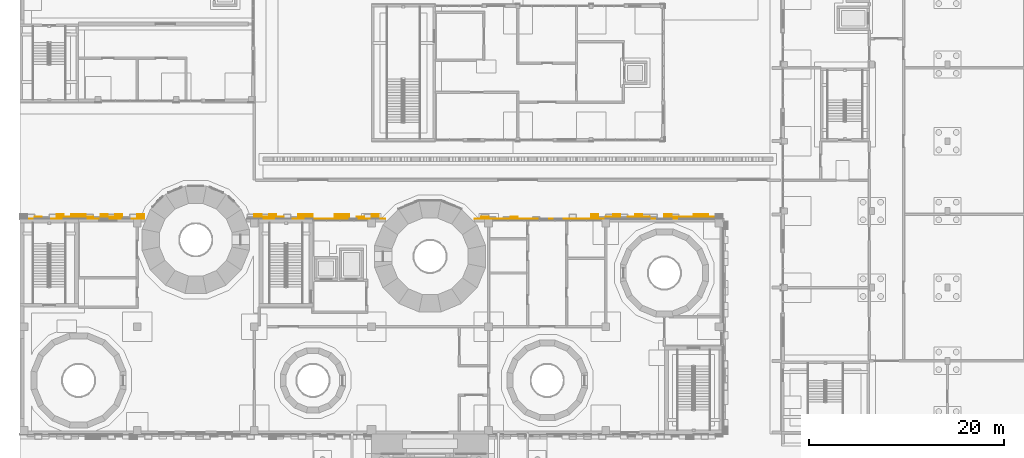
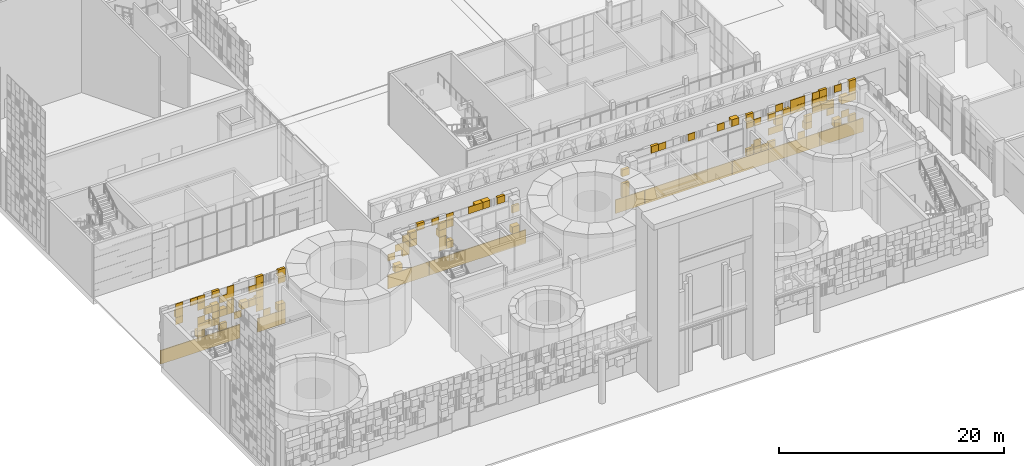
# One storey, part 85 of 125: 4 coverings.
"""IFC4 building model written with IfcOpenShell, lengths in metres."""

from ifc_helpers import new_model, si_unit, direction, frame, origin, origin_2d, place, context, subcontext, project, spatial, rectangle, extrude, material, layer, layer_set, type_object, element, save


model = new_model("IFC4")

# Units and contexts
model_context = context("Model", 3, precision=1e-05, world=origin(), true_north=direction((0.0, 1.0)))
body_context = subcontext(model_context, "Body", "Model", "MODEL_VIEW")
ifc_project = project(units=[si_unit("LENGTHUNIT", "METRE"), si_unit("AREAUNIT", "SQUARE_METRE"), si_unit("VOLUMEUNIT", "CUBIC_METRE"), si_unit("PLANEANGLEUNIT", "RADIAN"), si_unit("MASSUNIT", "GRAM", prefix="KILO")], contexts=[model_context])

# Site, building, storey
site_placement = place(None, origin())
site = spatial("IfcSite", under=ifc_project, at=site_placement, CompositionType="ELEMENT")
building_placement = place(site_placement, origin())
building = spatial("IfcBuilding", under=site, at=building_placement, Name="Sun Court Science Centre", CompositionType="ELEMENT")
storey_placement = place(building_placement, origin())
storey = spatial("IfcBuildingStorey", under=building, at=storey_placement, Name="L00", CompositionType="ELEMENT", Elevation=0.0)

# Coverings
ifc_material_1 = material(Name="Red sandstone", Category="masonry")
ifc_layer_1 = layer(ifc_material_1, 0.080078125)
ifc_layer_set_1 = layer_set([ifc_layer_1], Name="Red sandstone")
covering_type_1 = type_object("IfcCoveringType", Name="Red sandstone plinth block 1500", PredefinedType="CLADDING", material=ifc_layer_set_1)
covering_1_placement = place(storey_placement, origin())
element("IfcCovering", 1, at=covering_1_placement, inside=storey, type_object=covering_type_1, Name="Red sandstone plinth north face", PredefinedType="CLADDING", context=body_context, shape_type="SweptSolid", body=[
    extrude(rectangle(XDim=1.340087890625, YDim=0.080078125, at=origin_2d()), frame((0.675048828125, 28.0400390625, 0.0048828125), z_axis=(0.0, 0.0, 1.0), x_axis=(1.0, 0.0, 0.0)), (0.0, 0.0, 1.0), 1.489990234375),
    extrude(rectangle(XDim=1.340087890625, YDim=0.080078125, at=origin_2d()), frame((2.02490234375, 28.0400390625, 0.0048828125), z_axis=(0.0, 0.0, 1.0), x_axis=(1.0, 0.0, 0.0)), (0.0, 0.0, 1.0), 1.489990234375),
    extrude(rectangle(XDim=1.340087890625, YDim=0.080078125, at=origin_2d()), frame((3.375, 28.0400390625, 0.0048828125), z_axis=(0.0, 0.0, 1.0), x_axis=(1.0, 0.0, 0.0)), (0.0, 0.0, 1.0), 1.489990234375),
    extrude(rectangle(XDim=1.340087890625, YDim=0.080078125, at=origin_2d()), frame((4.72509765625, 28.0400390625, 0.0048828125), z_axis=(0.0, 0.0, 1.0), x_axis=(1.0, 0.0, 0.0)), (0.0, 0.0, 1.0), 1.489990234375),
    extrude(rectangle(XDim=1.340087890625, YDim=0.080078125, at=origin_2d()), frame((6.074951171875, 28.0400390625, 0.0048828125), z_axis=(0.0, 0.0, 1.0), x_axis=(1.0, 0.0, 0.0)), (0.0, 0.0, 1.0), 1.489990234375),
    extrude(rectangle(XDim=1.340087890625, YDim=0.080078125, at=origin_2d()), frame((7.425048828125, 28.0400390625, 0.0048828125), z_axis=(0.0, 0.0, 1.0), x_axis=(1.0, 0.0, 0.0)), (0.0, 0.0, 1.0), 1.489990234375),
    extrude(rectangle(XDim=1.415283203125, YDim=0.080078125, at=origin_2d()), frame((10.612548828125, 28.0400390625, 0.0048828125), z_axis=(0.0, 0.0, 1.0), x_axis=(1.0, 0.0, 0.0)), (0.0, 0.0, 1.0), 1.489990234375),
    extrude(rectangle(XDim=1.415283203125, YDim=0.080078125, at=origin_2d()), frame((12.0380859375, 28.0400390625, 0.0048828125), z_axis=(0.0, 0.0, 1.0), x_axis=(1.0, 0.0, 0.0)), (0.0, 0.0, 1.0), 1.489990234375),
    extrude(rectangle(XDim=1.405517578125, YDim=0.080078125, at=origin_2d()), frame((23.95703125, 28.0400390625, 0.0048828125), z_axis=(0.0, 0.0, 1.0), x_axis=(1.0, 0.0, 0.0)), (0.0, 0.0, 1.0), 1.489990234375),
    extrude(rectangle(XDim=1.405517578125, YDim=0.080078125, at=origin_2d()), frame((25.372802734375, 28.0400390625, 0.0048828125), z_axis=(0.0, 0.0, 1.0), x_axis=(1.0, 0.0, 0.0)), (0.0, 0.0, 1.0), 1.489990234375),
    extrude(rectangle(XDim=1.405517578125, YDim=0.080078125, at=origin_2d()), frame((26.788330078125, 28.0400390625, 0.0048828125), z_axis=(0.0, 0.0, 1.0), x_axis=(1.0, 0.0, 0.0)), (0.0, 0.0, 1.0), 1.489990234375),
    extrude(rectangle(XDim=1.405517578125, YDim=0.080078125, at=origin_2d()), frame((28.203857421875, 28.0400390625, 0.0048828125), z_axis=(0.0, 0.0, 1.0), x_axis=(1.0, 0.0, 0.0)), (0.0, 0.0, 1.0), 1.489990234375),
    extrude(rectangle(XDim=1.405517578125, YDim=0.080078125, at=origin_2d()), frame((29.619384765625, 28.0400390625, 0.0048828125), z_axis=(0.0, 0.0, 1.0), x_axis=(1.0, 0.0, 0.0)), (0.0, 0.0, 1.0), 1.489990234375),
    extrude(rectangle(XDim=1.405517578125, YDim=0.080078125, at=origin_2d()), frame((31.03515625, 28.0400390625, 0.0048828125), z_axis=(0.0, 0.0, 1.0), x_axis=(1.0, 0.0, 0.0)), (0.0, 0.0, 1.0), 1.489990234375),
    extrude(rectangle(XDim=1.405517578125, YDim=0.080078125, at=origin_2d()), frame((32.45068359375, 28.0400390625, 0.0048828125), z_axis=(0.0, 0.0, 1.0), x_axis=(1.0, 0.0, 0.0)), (0.0, 0.0, 1.0), 1.489990234375),
    extrude(rectangle(XDim=1.405517578125, YDim=0.080078125, at=origin_2d()), frame((33.8662109375, 28.0400390625, 0.0048828125), z_axis=(0.0, 0.0, 1.0), x_axis=(1.0, 0.0, 0.0)), (0.0, 0.0, 1.0), 1.489990234375),
    extrude(rectangle(XDim=1.405517578125, YDim=0.080078125, at=origin_2d()), frame((35.28173828125, 28.0400390625, 0.0048828125), z_axis=(0.0, 0.0, 1.0), x_axis=(1.0, 0.0, 0.0)), (0.0, 0.0, 1.0), 1.489990234375),
    extrude(rectangle(XDim=1.405517578125, YDim=0.080078125, at=origin_2d()), frame((36.697265625, 28.0400390625, 0.0048828125), z_axis=(0.0, 0.0, 1.0), x_axis=(1.0, 0.0, 0.0)), (0.0, 0.0, 1.0), 1.489990234375),
    extrude(rectangle(XDim=1.484375, YDim=0.080078125, at=origin_2d()), frame((47.342041015625, 28.0400390625, 0.0048828125), z_axis=(0.0, 0.0, 1.0), x_axis=(1.0, 0.0, 0.0)), (0.0, 0.0, 1.0), 1.489990234375),
    extrude(rectangle(XDim=1.484375, YDim=0.080078125, at=origin_2d()), frame((48.83642578125, 28.0400390625, 0.0048828125), z_axis=(0.0, 0.0, 1.0), x_axis=(1.0, 0.0, 0.0)), (0.0, 0.0, 1.0), 1.489990234375),
    extrude(rectangle(XDim=1.484375, YDim=0.080078125, at=origin_2d()), frame((50.330810546875, 28.0400390625, 0.0048828125), z_axis=(0.0, 0.0, 1.0), x_axis=(1.0, 0.0, 0.0)), (0.0, 0.0, 1.0), 1.489990234375),
    extrude(rectangle(XDim=1.484375, YDim=0.080078125, at=origin_2d()), frame((51.8251953125, 28.0400390625, 0.0048828125), z_axis=(0.0, 0.0, 1.0), x_axis=(1.0, 0.0, 0.0)), (0.0, 0.0, 1.0), 1.489990234375),
    extrude(rectangle(XDim=1.484375, YDim=0.080078125, at=origin_2d()), frame((53.31982421875, 28.0400390625, 0.0048828125), z_axis=(0.0, 0.0, 1.0), x_axis=(1.0, 0.0, 0.0)), (0.0, 0.0, 1.0), 1.489990234375),
    extrude(rectangle(XDim=1.484375, YDim=0.080078125, at=origin_2d()), frame((54.814208984375, 28.0400390625, 0.0048828125), z_axis=(0.0, 0.0, 1.0), x_axis=(1.0, 0.0, 0.0)), (0.0, 0.0, 1.0), 1.489990234375),
    extrude(rectangle(XDim=1.484375, YDim=0.080078125, at=origin_2d()), frame((56.30859375, 28.0400390625, 0.0048828125), z_axis=(0.0, 0.0, 1.0), x_axis=(1.0, 0.0, 0.0)), (0.0, 0.0, 1.0), 1.489990234375),
    extrude(rectangle(XDim=1.484375, YDim=0.080078125, at=origin_2d()), frame((57.802978515625, 28.0400390625, 0.0048828125), z_axis=(0.0, 0.0, 1.0), x_axis=(1.0, 0.0, 0.0)), (0.0, 0.0, 1.0), 1.489990234375),
    extrude(rectangle(XDim=1.484375, YDim=0.080078125, at=origin_2d()), frame((59.29736328125, 28.0400390625, 0.0048828125), z_axis=(0.0, 0.0, 1.0), x_axis=(1.0, 0.0, 0.0)), (0.0, 0.0, 1.0), 1.489990234375),
    extrude(rectangle(XDim=1.484375, YDim=0.080078125, at=origin_2d()), frame((60.791748046875, 28.0400390625, 0.0048828125), z_axis=(0.0, 0.0, 1.0), x_axis=(1.0, 0.0, 0.0)), (0.0, 0.0, 1.0), 1.489990234375),
    extrude(rectangle(XDim=1.484375, YDim=0.080078125, at=origin_2d()), frame((62.286376953125, 28.0400390625, 0.0048828125), z_axis=(0.0, 0.0, 1.0), x_axis=(1.0, 0.0, 0.0)), (0.0, 0.0, 1.0), 1.489990234375),
    extrude(rectangle(XDim=1.484375, YDim=0.080078125, at=origin_2d()), frame((63.78076171875, 28.0400390625, 0.0048828125), z_axis=(0.0, 0.0, 1.0), x_axis=(1.0, 0.0, 0.0)), (0.0, 0.0, 1.0), 1.489990234375),
    extrude(rectangle(XDim=1.484375, YDim=0.080078125, at=origin_2d()), frame((65.275146484375, 28.0400390625, 0.0048828125), z_axis=(0.0, 0.0, 1.0), x_axis=(1.0, 0.0, 0.0)), (0.0, 0.0, 1.0), 1.489990234375),
    extrude(rectangle(XDim=1.484375, YDim=0.080078125, at=origin_2d()), frame((66.76953125, 28.0400390625, 0.0048828125), z_axis=(0.0, 0.0, 1.0), x_axis=(1.0, 0.0, 0.0)), (0.0, 0.0, 1.0), 1.489990234375),
    extrude(rectangle(XDim=1.484375, YDim=0.080078125, at=origin_2d()), frame((68.263916015625, 28.0400390625, 0.0048828125), z_axis=(0.0, 0.0, 1.0), x_axis=(1.0, 0.0, 0.0)), (0.0, 0.0, 1.0), 1.489990234375),
    extrude(rectangle(XDim=1.484375, YDim=0.080078125, at=origin_2d()), frame((69.75830078125, 28.0400390625, 0.0048828125), z_axis=(0.0, 0.0, 1.0), x_axis=(1.0, 0.0, 0.0)), (0.0, 0.0, 1.0), 1.489990234375),
    extrude(rectangle(XDim=1.484375, YDim=0.080078125, at=origin_2d()), frame((71.252685546875, 28.0400390625, 0.0048828125), z_axis=(0.0, 0.0, 1.0), x_axis=(1.0, 0.0, 0.0)), (0.0, 0.0, 1.0), 1.489990234375),
])
ifc_material_2 = material(Name="Terracotta shade 3", Category="masonry")
ifc_layer_2 = layer(ifc_material_2, 0.06005859375)
ifc_layer_set_2 = layer_set([ifc_layer_2], Name="Terracotta shade 3")
covering_type_2 = type_object("IfcCoveringType", Name="Terracotta pixel panel shade 3", PredefinedType="CLADDING", material=ifc_layer_set_2)
covering_2_placement = place(storey_placement, origin())
element("IfcCovering", 2, at=covering_2_placement, inside=storey, type_object=covering_type_2, Name="Terracotta pixel cladding shade 3 north face L00", PredefinedType="CLADDING", context=body_context, shape_type="SweptSolid", body=[
    extrude(rectangle(XDim=0.739990234375, YDim=0.510009765625, at=origin_2d()), frame((12.375, 28.2548828125, 1.5048828125), z_axis=(0.0, 0.0, 1.0), x_axis=(1.0, 0.0, 0.0)), (0.0, 0.0, 1.0), 0.739990234375),
    extrude(rectangle(XDim=0.739990234375, YDim=0.260009765625, at=origin_2d()), frame((60.375, 28.1298828125, 1.5048828125), z_axis=(0.0, 0.0, 1.0), x_axis=(1.0, 0.0, 0.0)), (0.0, 0.0, 1.0), 0.739990234375),
    extrude(rectangle(XDim=0.739990234375, YDim=0.260009765625, at=origin_2d()), frame((62.625, 28.1298828125, 1.5048828125), z_axis=(0.0, 0.0, 1.0), x_axis=(1.0, 0.0, 0.0)), (0.0, 0.0, 1.0), 0.739990234375),
    extrude(rectangle(XDim=0.739990234375, YDim=0.510009765625, at=origin_2d()), frame((69.375, 28.2548828125, 1.5048828125), z_axis=(0.0, 0.0, 1.0), x_axis=(1.0, 0.0, 0.0)), (0.0, 0.0, 1.0), 0.739990234375),
    extrude(rectangle(XDim=0.739990234375, YDim=0.260009765625, at=origin_2d()), frame((70.875, 28.1298828125, 1.5048828125), z_axis=(0.0, 0.0, 1.0), x_axis=(1.0, 0.0, 0.0)), (0.0, 0.0, 1.0), 0.739990234375),
    extrude(rectangle(XDim=0.739990234375, YDim=0.510009765625, at=origin_2d()), frame((29.625, 28.2548828125, 2.2548828125), z_axis=(0.0, 0.0, 1.0), x_axis=(1.0, 0.0, 0.0)), (0.0, 0.0, 1.0), 0.739990234375),
    extrude(rectangle(XDim=0.739990234375, YDim=0.06005859375, at=origin_2d()), frame((61.125, 28.030029296875, 2.2548828125), z_axis=(0.0, 0.0, 1.0), x_axis=(1.0, 0.0, 0.0)), (0.0, 0.0, 1.0), 0.739990234375),
    extrude(rectangle(XDim=0.739990234375, YDim=0.06005859375, at=origin_2d()), frame((70.125, 28.030029296875, 2.2548828125), z_axis=(0.0, 0.0, 1.0), x_axis=(1.0, 0.0, 0.0)), (0.0, 0.0, 1.0), 0.739990234375),
    extrude(rectangle(XDim=0.739990234375, YDim=0.06005859375, at=origin_2d()), frame((4.125, 28.030029296875, 3.0048828125), z_axis=(0.0, 0.0, 1.0), x_axis=(1.0, 0.0, 0.0)), (0.0, 0.0, 1.0), 0.739990234375),
    extrude(rectangle(XDim=0.739990234375, YDim=0.260009765625, at=origin_2d()), frame((7.125, 28.1298828125, 3.0048828125), z_axis=(0.0, 0.0, 1.0), x_axis=(1.0, 0.0, 0.0)), (0.0, 0.0, 1.0), 0.739990234375),
    extrude(rectangle(XDim=0.739990234375, YDim=0.510009765625, at=origin_2d()), frame((8.625, 28.2548828125, 3.0048828125), z_axis=(0.0, 0.0, 1.0), x_axis=(1.0, 0.0, 0.0)), (0.0, 0.0, 1.0), 0.739990234375),
    extrude(rectangle(XDim=0.739990234375, YDim=0.260009765625, at=origin_2d()), frame((9.375, 28.1298828125, 3.0048828125), z_axis=(0.0, 0.0, 1.0), x_axis=(1.0, 0.0, 0.0)), (0.0, 0.0, 1.0), 0.739990234375),
    extrude(rectangle(XDim=0.739990234375, YDim=0.260009765625, at=origin_2d()), frame((25.125, 28.1298828125, 3.0048828125), z_axis=(0.0, 0.0, 1.0), x_axis=(1.0, 0.0, 0.0)), (0.0, 0.0, 1.0), 0.739990234375),
    extrude(rectangle(XDim=0.739990234375, YDim=0.06005859375, at=origin_2d()), frame((62.625, 28.030029296875, 3.0048828125), z_axis=(0.0, 0.0, 1.0), x_axis=(1.0, 0.0, 0.0)), (0.0, 0.0, 1.0), 0.739990234375),
    extrude(rectangle(XDim=0.739990234375, YDim=0.06005859375, at=origin_2d()), frame((63.375, 28.030029296875, 3.0048828125), z_axis=(0.0, 0.0, 1.0), x_axis=(1.0, 0.0, 0.0)), (0.0, 0.0, 1.0), 0.739990234375),
    extrude(rectangle(XDim=0.739990234375, YDim=0.510009765625, at=origin_2d()), frame((5.625, 28.2548828125, 3.7548828125), z_axis=(0.0, 0.0, 1.0), x_axis=(1.0, 0.0, 0.0)), (0.0, 0.0, 1.0), 0.739990234375),
    extrude(rectangle(XDim=0.739990234375, YDim=0.06005859375, at=origin_2d()), frame((7.125, 28.030029296875, 3.7548828125), z_axis=(0.0, 0.0, 1.0), x_axis=(1.0, 0.0, 0.0)), (0.0, 0.0, 1.0), 0.739990234375),
    extrude(rectangle(XDim=0.739990234375, YDim=0.06005859375, at=origin_2d()), frame((24.375, 28.030029296875, 3.7548828125), z_axis=(0.0, 0.0, 1.0), x_axis=(1.0, 0.0, 0.0)), (0.0, 0.0, 1.0), 0.739990234375),
    extrude(rectangle(XDim=0.739990234375, YDim=0.06005859375, at=origin_2d()), frame((25.125, 28.030029296875, 3.7548828125), z_axis=(0.0, 0.0, 1.0), x_axis=(1.0, 0.0, 0.0)), (0.0, 0.0, 1.0), 0.739990234375),
    extrude(rectangle(XDim=0.739990234375, YDim=0.260009765625, at=origin_2d()), frame((36.375, 28.1298828125, 3.7548828125), z_axis=(0.0, 0.0, 1.0), x_axis=(1.0, 0.0, 0.0)), (0.0, 0.0, 1.0), 0.739990234375),
    extrude(rectangle(XDim=0.739990234375, YDim=0.06005859375, at=origin_2d()), frame((67.125, 28.030029296875, 3.7548828125), z_axis=(0.0, 0.0, 1.0), x_axis=(1.0, 0.0, 0.0)), (0.0, 0.0, 1.0), 0.739990234375),
    extrude(rectangle(XDim=0.739990234375, YDim=0.06005859375, at=origin_2d()), frame((67.875, 28.030029296875, 3.7548828125), z_axis=(0.0, 0.0, 1.0), x_axis=(1.0, 0.0, 0.0)), (0.0, 0.0, 1.0), 0.739990234375),
    extrude(rectangle(XDim=0.739990234375, YDim=0.260009765625, at=origin_2d()), frame((68.625, 28.1298828125, 3.7548828125), z_axis=(0.0, 0.0, 1.0), x_axis=(1.0, 0.0, 0.0)), (0.0, 0.0, 1.0), 0.739990234375),
    extrude(rectangle(XDim=0.739990234375, YDim=0.510009765625, at=origin_2d()), frame((70.125, 28.2548828125, 3.7548828125), z_axis=(0.0, 0.0, 1.0), x_axis=(1.0, 0.0, 0.0)), (0.0, 0.0, 1.0), 0.739990234375),
    extrude(rectangle(XDim=0.739990234375, YDim=0.06005859375, at=origin_2d()), frame((70.875, 28.030029296875, 3.7548828125), z_axis=(0.0, 0.0, 1.0), x_axis=(1.0, 0.0, 0.0)), (0.0, 0.0, 1.0), 0.739990234375),
    extrude(rectangle(XDim=0.739990234375, YDim=0.260009765625, at=origin_2d()), frame((1.875, 28.1298828125, 4.5048828125), z_axis=(0.0, 0.0, 1.0), x_axis=(1.0, 0.0, 0.0)), (0.0, 0.0, 1.0), 0.739990234375),
    extrude(rectangle(XDim=0.739990234375, YDim=0.06005859375, at=origin_2d()), frame((4.125, 28.030029296875, 4.5048828125), z_axis=(0.0, 0.0, 1.0), x_axis=(1.0, 0.0, 0.0)), (0.0, 0.0, 1.0), 0.739990234375),
    extrude(rectangle(XDim=0.739990234375, YDim=0.06005859375, at=origin_2d()), frame((9.375, 28.030029296875, 4.5048828125), z_axis=(0.0, 0.0, 1.0), x_axis=(1.0, 0.0, 0.0)), (0.0, 0.0, 1.0), 0.739990234375),
    extrude(rectangle(XDim=0.739990234375, YDim=0.06005859375, at=origin_2d()), frame((12.375, 28.030029296875, 4.5048828125), z_axis=(0.0, 0.0, 1.0), x_axis=(1.0, 0.0, 0.0)), (0.0, 0.0, 1.0), 0.739990234375),
    extrude(rectangle(XDim=0.739990234375, YDim=0.510009765625, at=origin_2d()), frame((25.875, 28.2548828125, 4.5048828125), z_axis=(0.0, 0.0, 1.0), x_axis=(1.0, 0.0, 0.0)), (0.0, 0.0, 1.0), 0.739990234375),
    extrude(rectangle(XDim=0.739990234375, YDim=0.260009765625, at=origin_2d()), frame((28.875, 28.1298828125, 4.5048828125), z_axis=(0.0, 0.0, 1.0), x_axis=(1.0, 0.0, 0.0)), (0.0, 0.0, 1.0), 0.739990234375),
    extrude(rectangle(XDim=0.739990234375, YDim=0.260009765625, at=origin_2d()), frame((62.625, 28.1298828125, 4.5048828125), z_axis=(0.0, 0.0, 1.0), x_axis=(1.0, 0.0, 0.0)), (0.0, 0.0, 1.0), 0.739990234375),
    extrude(rectangle(XDim=0.739990234375, YDim=0.06005859375, at=origin_2d()), frame((64.875, 28.030029296875, 4.5048828125), z_axis=(0.0, 0.0, 1.0), x_axis=(1.0, 0.0, 0.0)), (0.0, 0.0, 1.0), 0.739990234375),
    extrude(rectangle(XDim=0.739990234375, YDim=0.06005859375, at=origin_2d()), frame((65.625, 28.030029296875, 4.5048828125), z_axis=(0.0, 0.0, 1.0), x_axis=(1.0, 0.0, 0.0)), (0.0, 0.0, 1.0), 0.739990234375),
    extrude(rectangle(XDim=0.739990234375, YDim=0.06005859375, at=origin_2d()), frame((70.875, 28.030029296875, 4.5048828125), z_axis=(0.0, 0.0, 1.0), x_axis=(1.0, 0.0, 0.0)), (0.0, 0.0, 1.0), 0.739990234375),
    extrude(rectangle(XDim=0.739990234375, YDim=0.260009765625, at=origin_2d()), frame((12.375, 28.1298828125, 5.2548828125), z_axis=(0.0, 0.0, 1.0), x_axis=(1.0, 0.0, 0.0)), (0.0, 0.0, 1.0), 0.739990234375),
    extrude(rectangle(XDim=0.739990234375, YDim=0.06005859375, at=origin_2d()), frame((31.875, 28.030029296875, 5.2548828125), z_axis=(0.0, 0.0, 1.0), x_axis=(1.0, 0.0, 0.0)), (0.0, 0.0, 1.0), 0.739990234375),
    extrude(rectangle(XDim=0.739990234375, YDim=0.510009765625, at=origin_2d()), frame((32.625, 28.2548828125, 5.2548828125), z_axis=(0.0, 0.0, 1.0), x_axis=(1.0, 0.0, 0.0)), (0.0, 0.0, 1.0), 0.739990234375),
    extrude(rectangle(XDim=0.739990234375, YDim=0.260009765625, at=origin_2d()), frame((34.875, 28.1298828125, 5.2548828125), z_axis=(0.0, 0.0, 1.0), x_axis=(1.0, 0.0, 0.0)), (0.0, 0.0, 1.0), 0.739990234375),
    extrude(rectangle(XDim=0.739990234375, YDim=0.260009765625, at=origin_2d()), frame((50.625, 28.1298828125, 5.2548828125), z_axis=(0.0, 0.0, 1.0), x_axis=(1.0, 0.0, 0.0)), (0.0, 0.0, 1.0), 0.739990234375),
    extrude(rectangle(XDim=0.739990234375, YDim=0.260009765625, at=origin_2d()), frame((60.375, 28.1298828125, 5.2548828125), z_axis=(0.0, 0.0, 1.0), x_axis=(1.0, 0.0, 0.0)), (0.0, 0.0, 1.0), 0.739990234375),
    extrude(rectangle(XDim=0.739990234375, YDim=0.06005859375, at=origin_2d()), frame((64.875, 28.030029296875, 5.2548828125), z_axis=(0.0, 0.0, 1.0), x_axis=(1.0, 0.0, 0.0)), (0.0, 0.0, 1.0), 0.739990234375),
    extrude(rectangle(XDim=0.739990234375, YDim=0.06005859375, at=origin_2d()), frame((65.625, 28.030029296875, 5.2548828125), z_axis=(0.0, 0.0, 1.0), x_axis=(1.0, 0.0, 0.0)), (0.0, 0.0, 1.0), 0.739990234375),
    extrude(rectangle(XDim=0.739990234375, YDim=0.06005859375, at=origin_2d()), frame((69.375, 28.030029296875, 5.2548828125), z_axis=(0.0, 0.0, 1.0), x_axis=(1.0, 0.0, 0.0)), (0.0, 0.0, 1.0), 0.739990234375),
    extrude(rectangle(XDim=0.739990234375, YDim=0.06005859375, at=origin_2d()), frame((1.875, 28.030029296875, 5.2548828125), z_axis=(0.0, 0.0, 1.0), x_axis=(1.0, 0.0, 0.0)), (0.0, 0.0, 1.0), 0.739990234375),
    extrude(rectangle(XDim=0.739990234375, YDim=0.260009765625, at=origin_2d()), frame((70.875, 28.1298828125, 5.2548828125), z_axis=(0.0, 0.0, 1.0), x_axis=(1.0, 0.0, 0.0)), (0.0, 0.0, 1.0), 0.739990234375),
    extrude(rectangle(XDim=0.739990234375, YDim=0.06005859375, at=origin_2d()), frame((1.875, 28.030029296875, 3.7548828125), z_axis=(0.0, 0.0, 1.0), x_axis=(1.0, 0.0, 0.0)), (0.0, 0.0, 1.0), 0.739990234375),
])
ifc_material_3 = material(Name="Terracotta shade 4", Category="masonry")
ifc_layer_3 = layer(ifc_material_3, 0.06005859375)
ifc_layer_set_3 = layer_set([ifc_layer_3], Name="Terracotta shade 4")
covering_type_3 = type_object("IfcCoveringType", Name="Terracotta pixel panel shade 4", PredefinedType="CLADDING", material=ifc_layer_set_3)
covering_3_placement = place(storey_placement, origin())
element("IfcCovering", 3, at=covering_3_placement, inside=storey, type_object=covering_type_3, Name="Terracotta pixel cladding shade 4 north face L00", PredefinedType="CLADDING", context=body_context, shape_type="SweptSolid", body=[
    extrude(rectangle(XDim=0.739990234375, YDim=0.260009765625, at=origin_2d()), frame((6.375, 28.1298828125, 1.5048828125), z_axis=(0.0, 0.0, 1.0), x_axis=(1.0, 0.0, 0.0)), (0.0, 0.0, 1.0), 0.739990234375),
    extrude(rectangle(XDim=0.739990234375, YDim=0.260009765625, at=origin_2d()), frame((47.625, 28.1298828125, 1.5048828125), z_axis=(0.0, 0.0, 1.0), x_axis=(1.0, 0.0, 0.0)), (0.0, 0.0, 1.0), 0.739990234375),
    extrude(rectangle(XDim=0.739990234375, YDim=0.510009765625, at=origin_2d()), frame((61.125, 28.2548828125, 1.5048828125), z_axis=(0.0, 0.0, 1.0), x_axis=(1.0, 0.0, 0.0)), (0.0, 0.0, 1.0), 0.739990234375),
    extrude(rectangle(XDim=0.739990234375, YDim=0.06005859375, at=origin_2d()), frame((65.625, 28.030029296875, 1.5048828125), z_axis=(0.0, 0.0, 1.0), x_axis=(1.0, 0.0, 0.0)), (0.0, 0.0, 1.0), 0.739990234375),
    extrude(rectangle(XDim=0.739990234375, YDim=0.06005859375, at=origin_2d()), frame((5.625, 28.030029296875, 2.2548828125), z_axis=(0.0, 0.0, 1.0), x_axis=(1.0, 0.0, 0.0)), (0.0, 0.0, 1.0), 0.739990234375),
    extrude(rectangle(XDim=0.739990234375, YDim=0.260009765625, at=origin_2d()), frame((47.625, 28.1298828125, 2.2548828125), z_axis=(0.0, 0.0, 1.0), x_axis=(1.0, 0.0, 0.0)), (0.0, 0.0, 1.0), 0.739990234375),
    extrude(rectangle(XDim=0.739990234375, YDim=0.510009765625, at=origin_2d()), frame((6.375, 28.2548828125, 3.0048828125), z_axis=(0.0, 0.0, 1.0), x_axis=(1.0, 0.0, 0.0)), (0.0, 0.0, 1.0), 0.739990234375),
    extrude(rectangle(XDim=0.739990234375, YDim=0.06005859375, at=origin_2d()), frame((23.625, 28.030029296875, 3.0048828125), z_axis=(0.0, 0.0, 1.0), x_axis=(1.0, 0.0, 0.0)), (0.0, 0.0, 1.0), 0.739990234375),
    extrude(rectangle(XDim=0.739990234375, YDim=0.260009765625, at=origin_2d()), frame((66.375, 28.1298828125, 3.0048828125), z_axis=(0.0, 0.0, 1.0), x_axis=(1.0, 0.0, 0.0)), (0.0, 0.0, 1.0), 0.739990234375),
    extrude(rectangle(XDim=0.739990234375, YDim=0.260009765625, at=origin_2d()), frame((4.875, 28.1298828125, 3.7548828125), z_axis=(0.0, 0.0, 1.0), x_axis=(1.0, 0.0, 0.0)), (0.0, 0.0, 1.0), 0.739990234375),
    extrude(rectangle(XDim=0.739990234375, YDim=0.06005859375, at=origin_2d()), frame((25.875, 28.030029296875, 3.7548828125), z_axis=(0.0, 0.0, 1.0), x_axis=(1.0, 0.0, 0.0)), (0.0, 0.0, 1.0), 0.739990234375),
    extrude(rectangle(XDim=0.739990234375, YDim=0.510009765625, at=origin_2d()), frame((28.875, 28.2548828125, 3.7548828125), z_axis=(0.0, 0.0, 1.0), x_axis=(1.0, 0.0, 0.0)), (0.0, 0.0, 1.0), 0.739990234375),
    extrude(rectangle(XDim=0.739990234375, YDim=0.510009765625, at=origin_2d()), frame((63.375, 28.2548828125, 3.7548828125), z_axis=(0.0, 0.0, 1.0), x_axis=(1.0, 0.0, 0.0)), (0.0, 0.0, 1.0), 0.739990234375),
    extrude(rectangle(XDim=0.739990234375, YDim=0.06005859375, at=origin_2d()), frame((6.375, 28.030029296875, 4.5048828125), z_axis=(0.0, 0.0, 1.0), x_axis=(1.0, 0.0, 0.0)), (0.0, 0.0, 1.0), 0.739990234375),
    extrude(rectangle(XDim=0.739990234375, YDim=0.260009765625, at=origin_2d()), frame((7.125, 28.1298828125, 4.5048828125), z_axis=(0.0, 0.0, 1.0), x_axis=(1.0, 0.0, 0.0)), (0.0, 0.0, 1.0), 0.739990234375),
    extrude(rectangle(XDim=0.739990234375, YDim=0.260009765625, at=origin_2d()), frame((10.125, 28.1298828125, 4.5048828125), z_axis=(0.0, 0.0, 1.0), x_axis=(1.0, 0.0, 0.0)), (0.0, 0.0, 1.0), 0.739990234375),
    extrude(rectangle(XDim=0.739990234375, YDim=0.260009765625, at=origin_2d()), frame((29.625, 28.1298828125, 4.5048828125), z_axis=(0.0, 0.0, 1.0), x_axis=(1.0, 0.0, 0.0)), (0.0, 0.0, 1.0), 0.739990234375),
    extrude(rectangle(XDim=0.739990234375, YDim=0.06005859375, at=origin_2d()), frame((61.125, 28.030029296875, 4.5048828125), z_axis=(0.0, 0.0, 1.0), x_axis=(1.0, 0.0, 0.0)), (0.0, 0.0, 1.0), 0.739990234375),
    extrude(rectangle(XDim=0.739990234375, YDim=0.260009765625, at=origin_2d()), frame((64.125, 28.1298828125, 4.5048828125), z_axis=(0.0, 0.0, 1.0), x_axis=(1.0, 0.0, 0.0)), (0.0, 0.0, 1.0), 0.739990234375),
    extrude(rectangle(XDim=0.739990234375, YDim=0.260009765625, at=origin_2d()), frame((67.125, 28.1298828125, 4.5048828125), z_axis=(0.0, 0.0, 1.0), x_axis=(1.0, 0.0, 0.0)), (0.0, 0.0, 1.0), 0.739990234375),
    extrude(rectangle(XDim=0.739990234375, YDim=0.260009765625, at=origin_2d()), frame((67.875, 28.1298828125, 4.5048828125), z_axis=(0.0, 0.0, 1.0), x_axis=(1.0, 0.0, 0.0)), (0.0, 0.0, 1.0), 0.739990234375),
    extrude(rectangle(XDim=0.739990234375, YDim=0.06005859375, at=origin_2d()), frame((3.375, 28.030029296875, 5.2548828125), z_axis=(0.0, 0.0, 1.0), x_axis=(1.0, 0.0, 0.0)), (0.0, 0.0, 1.0), 0.739990234375),
    extrude(rectangle(XDim=0.739990234375, YDim=0.260009765625, at=origin_2d()), frame((5.625, 28.1298828125, 5.2548828125), z_axis=(0.0, 0.0, 1.0), x_axis=(1.0, 0.0, 0.0)), (0.0, 0.0, 1.0), 0.739990234375),
    extrude(rectangle(XDim=0.739990234375, YDim=0.06005859375, at=origin_2d()), frame((7.125, 28.030029296875, 5.2548828125), z_axis=(0.0, 0.0, 1.0), x_axis=(1.0, 0.0, 0.0)), (0.0, 0.0, 1.0), 0.739990234375),
    extrude(rectangle(XDim=0.739990234375, YDim=0.260009765625, at=origin_2d()), frame((10.125, 28.1298828125, 5.2548828125), z_axis=(0.0, 0.0, 1.0), x_axis=(1.0, 0.0, 0.0)), (0.0, 0.0, 1.0), 0.739990234375),
    extrude(rectangle(XDim=0.739990234375, YDim=0.06005859375, at=origin_2d()), frame((29.625, 28.030029296875, 5.2548828125), z_axis=(0.0, 0.0, 1.0), x_axis=(1.0, 0.0, 0.0)), (0.0, 0.0, 1.0), 0.739990234375),
    extrude(rectangle(XDim=0.739990234375, YDim=0.510009765625, at=origin_2d()), frame((33.375, 28.2548828125, 5.2548828125), z_axis=(0.0, 0.0, 1.0), x_axis=(1.0, 0.0, 0.0)), (0.0, 0.0, 1.0), 0.739990234375),
    extrude(rectangle(XDim=0.739990234375, YDim=0.06005859375, at=origin_2d()), frame((51.375, 28.030029296875, 5.2548828125), z_axis=(0.0, 0.0, 1.0), x_axis=(1.0, 0.0, 0.0)), (0.0, 0.0, 1.0), 0.739990234375),
    extrude(rectangle(XDim=0.739990234375, YDim=0.06005859375, at=origin_2d()), frame((54.375, 28.030029296875, 5.2548828125), z_axis=(0.0, 0.0, 1.0), x_axis=(1.0, 0.0, 0.0)), (0.0, 0.0, 1.0), 0.739990234375),
    extrude(rectangle(XDim=0.739990234375, YDim=0.06005859375, at=origin_2d()), frame((57.375, 28.030029296875, 5.2548828125), z_axis=(0.0, 0.0, 1.0), x_axis=(1.0, 0.0, 0.0)), (0.0, 0.0, 1.0), 0.739990234375),
    extrude(rectangle(XDim=0.739990234375, YDim=0.260009765625, at=origin_2d()), frame((67.875, 28.1298828125, 5.2548828125), z_axis=(0.0, 0.0, 1.0), x_axis=(1.0, 0.0, 0.0)), (0.0, 0.0, 1.0), 0.739990234375),
])
ifc_material_4 = material(Name="Terracotta shade 5", Category="masonry")
ifc_layer_4 = layer(ifc_material_4, 0.06005859375)
ifc_layer_set_4 = layer_set([ifc_layer_4], Name="Terracotta shade 5")
covering_type_4 = type_object("IfcCoveringType", Name="Terracotta pixel panel shade 5", PredefinedType="CLADDING", material=ifc_layer_set_4)
covering_4_placement = place(storey_placement, origin())
element("IfcCovering", 4, at=covering_4_placement, inside=storey, type_object=covering_type_4, Name="Terracotta pixel cladding shade 5 north face L00", PredefinedType="CLADDING", context=body_context, shape_type="SweptSolid", body=[
    extrude(rectangle(XDim=0.739990234375, YDim=0.510009765625, at=origin_2d()), frame((4.125, 28.2548828125, 1.5048828125), z_axis=(0.0, 0.0, 1.0), x_axis=(1.0, 0.0, 0.0)), (0.0, 0.0, 1.0), 0.739990234375),
    extrude(rectangle(XDim=0.739990234375, YDim=0.06005859375, at=origin_2d()), frame((10.875, 28.030029296875, 1.5048828125), z_axis=(0.0, 0.0, 1.0), x_axis=(1.0, 0.0, 0.0)), (0.0, 0.0, 1.0), 0.739990234375),
    extrude(rectangle(XDim=0.739990234375, YDim=0.510009765625, at=origin_2d()), frame((24.375, 28.2548828125, 1.5048828125), z_axis=(0.0, 0.0, 1.0), x_axis=(1.0, 0.0, 0.0)), (0.0, 0.0, 1.0), 0.739990234375),
    extrude(rectangle(XDim=0.739990234375, YDim=0.510009765625, at=origin_2d()), frame((36.375, 28.2548828125, 1.5048828125), z_axis=(0.0, 0.0, 1.0), x_axis=(1.0, 0.0, 0.0)), (0.0, 0.0, 1.0), 0.739990234375),
    extrude(rectangle(XDim=0.739990234375, YDim=0.06005859375, at=origin_2d()), frame((61.875, 28.030029296875, 1.5048828125), z_axis=(0.0, 0.0, 1.0), x_axis=(1.0, 0.0, 0.0)), (0.0, 0.0, 1.0), 0.739990234375),
    extrude(rectangle(XDim=0.739990234375, YDim=0.06005859375, at=origin_2d()), frame((4.125, 28.030029296875, 2.2548828125), z_axis=(0.0, 0.0, 1.0), x_axis=(1.0, 0.0, 0.0)), (0.0, 0.0, 1.0), 0.739990234375),
    extrude(rectangle(XDim=0.739990234375, YDim=0.260009765625, at=origin_2d()), frame((4.875, 28.1298828125, 2.2548828125), z_axis=(0.0, 0.0, 1.0), x_axis=(1.0, 0.0, 0.0)), (0.0, 0.0, 1.0), 0.739990234375),
    extrude(rectangle(XDim=0.739990234375, YDim=0.06005859375, at=origin_2d()), frame((7.875, 28.030029296875, 2.2548828125), z_axis=(0.0, 0.0, 1.0), x_axis=(1.0, 0.0, 0.0)), (0.0, 0.0, 1.0), 0.739990234375),
    extrude(rectangle(XDim=0.739990234375, YDim=0.06005859375, at=origin_2d()), frame((10.125, 28.030029296875, 2.2548828125), z_axis=(0.0, 0.0, 1.0), x_axis=(1.0, 0.0, 0.0)), (0.0, 0.0, 1.0), 0.739990234375),
    extrude(rectangle(XDim=0.739990234375, YDim=0.06005859375, at=origin_2d()), frame((28.875, 28.030029296875, 2.2548828125), z_axis=(0.0, 0.0, 1.0), x_axis=(1.0, 0.0, 0.0)), (0.0, 0.0, 1.0), 0.739990234375),
    extrude(rectangle(XDim=0.739990234375, YDim=0.510009765625, at=origin_2d()), frame((66.375, 28.2548828125, 2.2548828125), z_axis=(0.0, 0.0, 1.0), x_axis=(1.0, 0.0, 0.0)), (0.0, 0.0, 1.0), 0.739990234375),
    extrude(rectangle(XDim=0.739990234375, YDim=0.06005859375, at=origin_2d()), frame((5.625, 28.030029296875, 3.0048828125), z_axis=(0.0, 0.0, 1.0), x_axis=(1.0, 0.0, 0.0)), (0.0, 0.0, 1.0), 0.739990234375),
    extrude(rectangle(XDim=0.739990234375, YDim=0.510009765625, at=origin_2d()), frame((10.125, 28.2548828125, 3.0048828125), z_axis=(0.0, 0.0, 1.0), x_axis=(1.0, 0.0, 0.0)), (0.0, 0.0, 1.0), 0.739990234375),
    extrude(rectangle(XDim=0.739990234375, YDim=0.06005859375, at=origin_2d()), frame((28.875, 28.030029296875, 3.0048828125), z_axis=(0.0, 0.0, 1.0), x_axis=(1.0, 0.0, 0.0)), (0.0, 0.0, 1.0), 0.739990234375),
    extrude(rectangle(XDim=0.739990234375, YDim=0.06005859375, at=origin_2d()), frame((68.625, 28.030029296875, 3.0048828125), z_axis=(0.0, 0.0, 1.0), x_axis=(1.0, 0.0, 0.0)), (0.0, 0.0, 1.0), 0.739990234375),
    extrude(rectangle(XDim=0.739990234375, YDim=0.06005859375, at=origin_2d()), frame((10.125, 28.030029296875, 3.7548828125), z_axis=(0.0, 0.0, 1.0), x_axis=(1.0, 0.0, 0.0)), (0.0, 0.0, 1.0), 0.739990234375),
    extrude(rectangle(XDim=0.739990234375, YDim=0.260009765625, at=origin_2d()), frame((47.625, 28.1298828125, 3.7548828125), z_axis=(0.0, 0.0, 1.0), x_axis=(1.0, 0.0, 0.0)), (0.0, 0.0, 1.0), 0.739990234375),
    extrude(rectangle(XDim=0.739990234375, YDim=0.06005859375, at=origin_2d()), frame((25.125, 28.030029296875, 4.5048828125), z_axis=(0.0, 0.0, 1.0), x_axis=(1.0, 0.0, 0.0)), (0.0, 0.0, 1.0), 0.739990234375),
    extrude(rectangle(XDim=0.739990234375, YDim=0.06005859375, at=origin_2d()), frame((60.375, 28.030029296875, 4.5048828125), z_axis=(0.0, 0.0, 1.0), x_axis=(1.0, 0.0, 0.0)), (0.0, 0.0, 1.0), 0.739990234375),
    extrude(rectangle(XDim=0.739990234375, YDim=0.06005859375, at=origin_2d()), frame((4.125, 28.030029296875, 5.2548828125), z_axis=(0.0, 0.0, 1.0), x_axis=(1.0, 0.0, 0.0)), (0.0, 0.0, 1.0), 0.739990234375),
    extrude(rectangle(XDim=0.739990234375, YDim=0.260009765625, at=origin_2d()), frame((26.625, 28.1298828125, 5.2548828125), z_axis=(0.0, 0.0, 1.0), x_axis=(1.0, 0.0, 0.0)), (0.0, 0.0, 1.0), 0.739990234375),
    extrude(rectangle(XDim=0.739990234375, YDim=0.06005859375, at=origin_2d()), frame((28.125, 28.030029296875, 5.2548828125), z_axis=(0.0, 0.0, 1.0), x_axis=(1.0, 0.0, 0.0)), (0.0, 0.0, 1.0), 0.739990234375),
    extrude(rectangle(XDim=0.739990234375, YDim=0.510009765625, at=origin_2d()), frame((58.875, 28.2548828125, 5.2548828125), z_axis=(0.0, 0.0, 1.0), x_axis=(1.0, 0.0, 0.0)), (0.0, 0.0, 1.0), 0.739990234375),
    extrude(rectangle(XDim=0.739990234375, YDim=0.06005859375, at=origin_2d()), frame((63.375, 28.030029296875, 5.2548828125), z_axis=(0.0, 0.0, 1.0), x_axis=(1.0, 0.0, 0.0)), (0.0, 0.0, 1.0), 0.739990234375),
    extrude(rectangle(XDim=0.739990234375, YDim=0.06005859375, at=origin_2d()), frame((67.125, 28.030029296875, 5.2548828125), z_axis=(0.0, 0.0, 1.0), x_axis=(1.0, 0.0, 0.0)), (0.0, 0.0, 1.0), 0.739990234375),
])

save(model, "model.ifc")
